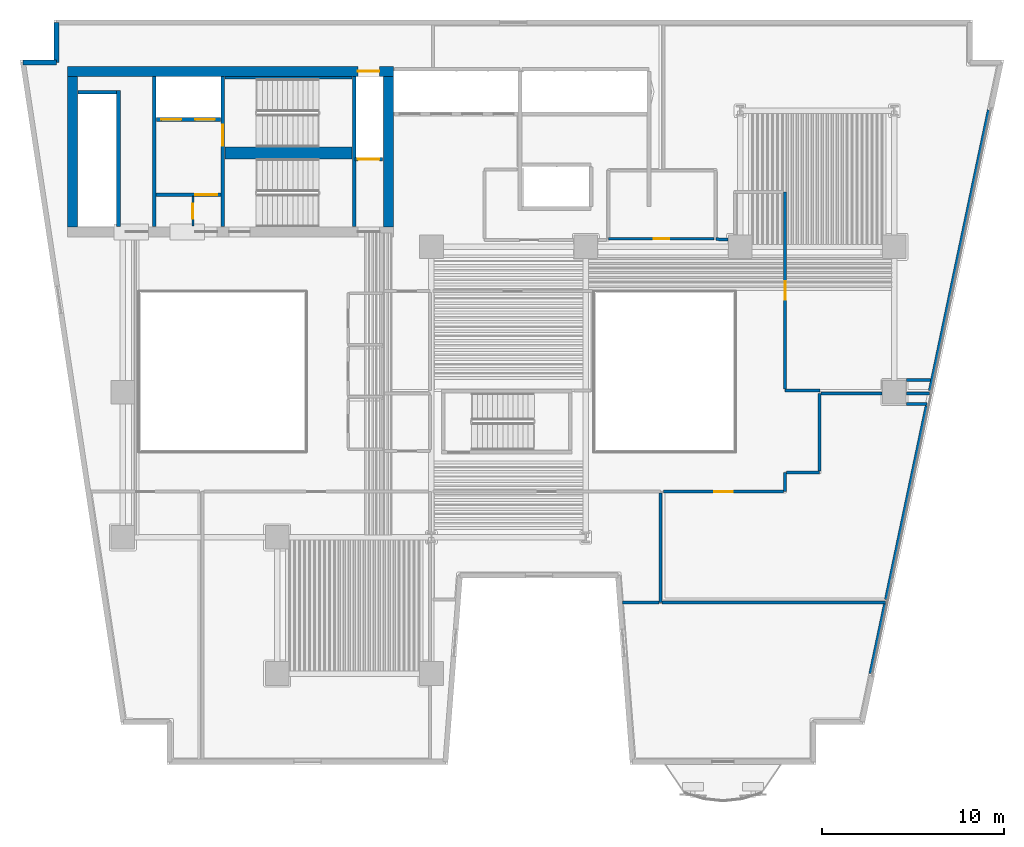
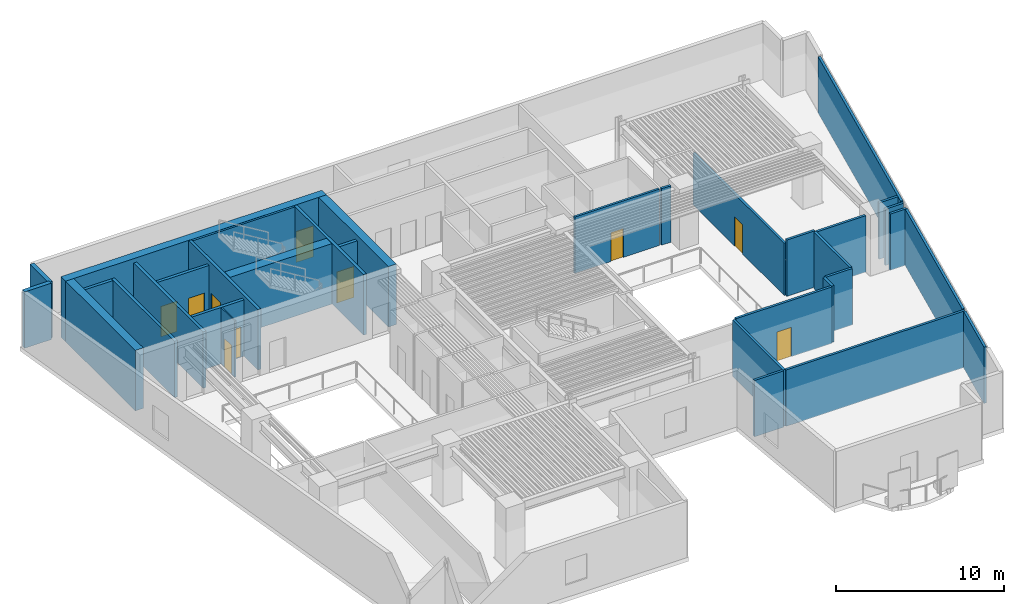
# One storey, part 5 of 11: 34 walls, 10 doors, 10 openings.
"""IFC4 building model written with IfcOpenShell, lengths in metres."""

import ifcopenshell
import ifcopenshell.guid

model = None  # the IFC model being written
_history = None  # IfcOwnerHistory: only IFC2X3 demands one
_inside = {}  # id of a spatial element -> (the spatial element, [elements in it])
_under = {}  # id of a project, library or spatial element -> (it, [spatial elements below it])
_declared = {}  # id of a project -> (the project, [libraries it declares])
_typed = {}  # id of a type object -> (the type object, [elements of that type])
_made_of = {}  # id of a material, layer set ... -> (it, [elements and type objects made of it])


def new_model(schema):
    """Start an empty IFC model of exactly this schema.

    Asked for "IFC4X3", IfcOpenShell would pick the latest addendum, in which some entities
    have other attributes; the version numbers below select the first issue.
    IFC2X3 requires an IfcOwnerHistory on every rooted entity: one is made here for all.
    """
    global model, _history
    if schema == "IFC4X3":
        model = ifcopenshell.file(schema_version=(4, 3, 0, 0))
    else:
        model = ifcopenshell.file(schema=schema)
    _inside.clear()
    _under.clear()
    _declared.clear()
    _typed.clear()
    _made_of.clear()
    _history = None
    if model.schema == "IFC2X3":
        org = make("IfcOrganization", Name="unknown")
        user = make(
            "IfcPersonAndOrganization",
            ThePerson=make("IfcPerson", FamilyName="unknown"),
            TheOrganization=org,
        )
        app = make(
            "IfcApplication",
            ApplicationDeveloper=org,
            Version="unknown",
            ApplicationFullName="unknown",
            ApplicationIdentifier="unknown",
        )
        _history = make(
            "IfcOwnerHistory",
            OwningUser=user,
            OwningApplication=app,
            ChangeAction="ADDED",
            CreationDate=0,
        )
    return model


def make(cls, **values):
    """One entity of the class cls with the attributes given. An attribute that is None is left unset."""
    return model.create_entity(
        cls, **{name: value for name, value in values.items() if value is not None}
    )


def rooted(cls, **values):
    """An entity with a GlobalId (a new one), such as an element, a storey or a relation."""
    return make(cls, GlobalId=ifcopenshell.guid.new(), OwnerHistory=_history, **values)


def si_unit(unit_type, name, prefix=None):
    """IfcSIUnit, for example si_unit("LENGTHUNIT", "METRE", prefix="MILLI")."""
    return make("IfcSIUnit", UnitType=unit_type, Prefix=prefix, Name=name)


def assignment(units):
    """IfcUnitAssignment: the units of a project."""
    return None if units is None else make("IfcUnitAssignment", Units=units)


def point(xyz):
    """IfcCartesianPoint."""
    return None if xyz is None else make("IfcCartesianPoint", Coordinates=xyz)


def direction(xyz):
    """IfcDirection."""
    return None if xyz is None else make("IfcDirection", DirectionRatios=xyz)


def frame(location, z_axis=None, x_axis=None):
    """IfcAxis2Placement3D, a coordinate frame: its origin and axes. An axis left out is left unset."""
    return make(
        "IfcAxis2Placement3D",
        Location=point(location),
        Axis=direction(z_axis),
        RefDirection=direction(x_axis),
    )


def frame_2d(location, x_axis=None):
    """IfcAxis2Placement2D, a coordinate frame in the plane: its origin and x axis."""
    return make(
        "IfcAxis2Placement2D", Location=point(location), RefDirection=direction(x_axis)
    )


def origin():
    """The frame at (0, 0, 0) with its axes left unset."""
    return frame((0.0, 0.0, 0.0))


def place(relative_to, where):
    """IfcLocalPlacement: puts the frame where relative to a parent placement (None: the world)."""
    return make(
        "IfcLocalPlacement", PlacementRelTo=relative_to, RelativePlacement=where
    )


def context(
    kind, dimensions, precision=None, world=None, true_north=None, identifier=None
):
    """IfcGeometricRepresentationContext, for example the 3D "Model" context."""
    return make(
        "IfcGeometricRepresentationContext",
        ContextIdentifier=identifier,
        ContextType=kind,
        CoordinateSpaceDimension=dimensions,
        Precision=precision,
        WorldCoordinateSystem=world,
        TrueNorth=true_north,
    )


def subcontext(parent, identifier, kind, view, scale=None):
    """IfcGeometricRepresentationSubContext, for example "Body" below "Model"."""
    return make(
        "IfcGeometricRepresentationSubContext",
        ContextIdentifier=identifier,
        ContextType=kind,
        ParentContext=parent,
        TargetScale=scale,
        TargetView=view,
    )


def project(units=None, contexts=None):
    """IfcProject with its units and contexts."""
    return rooted(
        "IfcProject",
        Name="project",
        RepresentationContexts=contexts,
        UnitsInContext=assignment(units),
    )


def spatial(cls, under=None, at=None, **own):
    """A site, building, storey or space (cls), placed at a placement, below another one or the project."""
    s = rooted(cls, ObjectPlacement=at, **own)
    if under is not None:
        _under.setdefault(under.id(), (under, []))[1].append(s)
    return s


def profile(cls, at=None, kind="AREA", **sizes):
    """A parametric profile (cls). Its sizes go by their IFC names, for example OverallWidth=200.0."""
    return make(cls, ProfileType=kind, Position=at, **sizes)


def rectangle(**sizes):
    """IfcRectangleProfileDef."""
    return profile("IfcRectangleProfileDef", **sizes)


def extrude(swept, where, along, depth):
    """IfcExtrudedAreaSolid: the profile swept, set in the frame where, extruded along a direction by depth."""
    return make(
        "IfcExtrudedAreaSolid",
        SweptArea=swept,
        Position=where,
        ExtrudedDirection=direction(along),
        Depth=depth,
    )


def shape(context_of_items, identifier, shape_type, items):
    """IfcShapeRepresentation: the items that make up one representation, for example the "Body"."""
    return make(
        "IfcShapeRepresentation",
        ContextOfItems=context_of_items,
        RepresentationIdentifier=identifier,
        RepresentationType=shape_type,
        Items=items,
    )


def material(Name=None, Category=None):
    """IfcMaterial."""
    return make("IfcMaterial", Name=Name, Category=Category)


def layer(
    of_material, thickness, ventilated=None, Name=None, Category=None, Priority=None
):
    """IfcMaterialLayer: one layer of a wall or slab, of a material (None: an air gap)."""
    return make(
        "IfcMaterialLayer",
        Material=of_material,
        LayerThickness=thickness,
        IsVentilated=ventilated,
        Name=Name,
        Category=Category,
        Priority=Priority,
    )


def layer_set(layers, Name=None):
    """IfcMaterialLayerSet."""
    return make("IfcMaterialLayerSet", MaterialLayers=layers, LayerSetName=Name)


def made_of(thing, what):
    """Note that an element or type object is made of a material, layer set ...; save() writes the relation."""
    if what is not None:
        _made_of.setdefault(what.id(), (what, []))[1].append(thing)
    return thing


def type_object(cls, material=None, **own):
    """A type object (cls), such as IfcWallType, which elements share."""
    return made_of(rooted(cls, **own), material)


def element(
    cls,
    number,
    at=None,
    inside=None,
    cuts=None,
    type_object=None,
    material=None,
    context=None,
    identifier="Body",
    shape_type=None,
    held_by="IfcProductDefinitionShape",
    body=None,
    shapes=None,
    **own,
):
    """One element of the class cls, such as IfcWall. Its Tag is "e" and its number.

    at: its placement. inside: the storey or other place that contains it. cuts: it is an
    opening in that element (IfcRelVoidsElement). A single representation is given by context,
    identifier, shape_type and body (its items); several are given by shapes. held_by: the class
    of the entity that holds the representations. save() writes the other relations.
    """
    e = rooted(cls, Tag="e%d" % number, ObjectPlacement=at, **own)
    if body is not None:
        shapes = [shape(context, identifier, shape_type, body)]
    if shapes is not None:
        e.Representation = make(held_by, Representations=shapes)
    if inside is not None:
        _inside.setdefault(inside.id(), (inside, []))[1].append(e)
    if cuts is not None:
        rooted(
            "IfcRelVoidsElement", RelatingBuildingElement=cuts, RelatedOpeningElement=e
        )
    if type_object is not None:
        _typed.setdefault(type_object.id(), (type_object, []))[1].append(e)
    return made_of(e, material)


def fill(opening, filler):
    """IfcRelFillsElement: the door or window that sits in an opening."""
    return rooted(
        "IfcRelFillsElement",
        RelatingOpeningElement=opening,
        RelatedBuildingElement=filler,
    )


def aggregate(whole, parts):
    """IfcRelAggregates: a whole, such as a stair, and the parts it consists of."""
    return rooted("IfcRelAggregates", RelatingObject=whole, RelatedObjects=parts)


def save(model, path):
    """Write the relations noted so far, then the file.

    IfcRelAggregates (storeys below a building ...), IfcRelContainedInSpatialStructure (elements
    in a storey), IfcRelDefinesByType, IfcRelAssociatesMaterial and IfcRelDeclares: one each for
    every whole, place, type object, material and project.
    """
    for whole, parts in _under.values():
        aggregate(whole, parts)
    for where, things in _inside.values():
        rooted(
            "IfcRelContainedInSpatialStructure",
            RelatedElements=things,
            RelatingStructure=where,
        )
    for kind, things in _typed.values():
        rooted("IfcRelDefinesByType", RelatedObjects=things, RelatingType=kind)
    for what, things in _made_of.values():
        rooted("IfcRelAssociatesMaterial", RelatedObjects=things, RelatingMaterial=what)
    for by, libraries in _declared.values():
        rooted("IfcRelDeclares", RelatingContext=by, RelatedDefinitions=libraries)
    model.write(path)


model = new_model("IFC4")

# Units and contexts
model_context = context("Model", 3, precision=1e-05, world=origin(), true_north=direction((0.0, 1.0)))
body_context = subcontext(model_context, "Body", "Model", "MODEL_VIEW")
ifc_project = project(units=[si_unit("LENGTHUNIT", "METRE"), si_unit("AREAUNIT", "SQUARE_METRE"), si_unit("VOLUMEUNIT", "CUBIC_METRE"), si_unit("PLANEANGLEUNIT", "RADIAN"), si_unit("MASSUNIT", "GRAM", prefix="KILO")], contexts=[model_context])

# Site, building, storey
site_placement = place(None, origin())
site = spatial("IfcSite", under=ifc_project, at=site_placement, CompositionType="ELEMENT")
building_placement = place(site_placement, origin())
building = spatial("IfcBuilding", under=site, at=building_placement, Name="Caeloran Harvest Quay", CompositionType="ELEMENT")
storey_placement = place(building_placement, frame((0.0, 0.0, 40.199951171875)))
storey = spatial("IfcBuildingStorey", under=building, at=storey_placement, Name="L09", CompositionType="ELEMENT", Elevation=40.199951171875)

# Walls
ifc_material_1 = material(Name="Precast concrete C50/60", Category="concrete")
ifc_layer_1 = layer(ifc_material_1, 0.280029296875, Name="Precast concrete C50/60")
ifc_layer_set_1 = layer_set([ifc_layer_1], Name="Precast concrete C50/60")
wall_type_1 = type_object("IfcWallType", Name="ENV-WALL-EW-280", PredefinedType="STANDARD", material=ifc_layer_set_1)
wall_1_placement = place(storey_placement, frame((2.99755859375, 41.159912109375, 0.0), z_axis=(0.0, 0.0, 1.0), x_axis=(1.0, 0.0, 0.0)))
element("IfcWall", 1, at=wall_1_placement, inside=storey, type_object=wall_type_1, Name="L09 Exterior Precast Concrete Facade Wall 4", PredefinedType="STANDARD", context=body_context, shape_type="SweptSolid", body=[
    extrude(rectangle(XDim=1.842529296875, YDim=0.280029296875, at=frame_2d((0.92138671875, 0.0))), origin(), (0.0, 0.0, 1.0), 4.10009765625),
])
wall_2_placement = place(storey_placement, frame((4.840087890625, 41.159912109375, 0.0), z_axis=(0.0, 0.0, 1.0), x_axis=(0.0, 1.0, 0.0)))
element("IfcWall", 2, at=wall_2_placement, inside=storey, type_object=wall_type_1, Name="L09 Exterior Precast Concrete Facade Wall 5", PredefinedType="STANDARD", context=body_context, shape_type="SweptSolid", body=[
    extrude(rectangle(XDim=2.2001953125, YDim=0.280029296875, at=frame_2d((1.10009765625, 0.0))), origin(), (0.0, 0.0, 1.0), 4.10009765625),
])

# Wall, opening, door
ifc_material_2 = material(Name="Fire-Resisting Gypsum Core Riser Partition", Category="gypsum")
ifc_layer_2 = layer(ifc_material_2, 0.10009765625, Name="Fire-Resisting Gypsum Core Riser Partition")
ifc_layer_set_2 = layer_set([ifc_layer_2], Name="Fire-Resisting Gypsum Core Riser Partition")
wall_type_2 = type_object("IfcWallType", Name="INT-WALL-PW-100", PredefinedType="PARTITIONING", material=ifc_layer_set_2)
wall_3_placement = place(storey_placement, frame((12.360107421875, 32.159912109375, 0.0), z_axis=(0.0, 0.0, 1.0), x_axis=(0.0, 1.0, 0.0)))
wall_3 = element("IfcWall", 3, at=wall_3_placement, inside=storey, type_object=wall_type_2, Name="L09 Core Store Partition Wall", PredefinedType="PARTITIONING", context=body_context, shape_type="SweptSolid", body=[
    extrude(rectangle(XDim=1.6201171875, YDim=0.10009765625, at=frame_2d((0.81005859375, 0.0))), origin(), (0.0, 0.0, 1.0), 4.10009765625),
])
opening_1_placement = place(wall_3_placement, frame((0.3798828125, 0.0, 0.0)))
opening_1 = element("IfcOpeningElement", 4, at=opening_1_placement, cuts=wall_3, Name="Opening SV-01", PredefinedType="OPENING", context=body_context, shape_type="SweptSolid", body=[
    extrude(rectangle(XDim=0.85009765625, YDim=2.10009765625, at=frame_2d((0.425048828125, 1.050048828125))), frame((0.0, 0.06005859375, 0.0), z_axis=(0.0, -1.0, 0.0), x_axis=(1.0, 0.0, 0.0)), (0.0, 0.0, 1.0), 0.1201171875),
])
ifc_material_3 = material(Name="Galvanized Painted Steel", Category="steel")
door_type_1 = type_object("IfcDoorType", Name="INTDOOR-SV-01", OperationType="NOTDEFINED", PredefinedType="DOOR", material=ifc_material_3)
door_1_placement = place(opening_1_placement, origin())
door_1 = element("IfcDoor", 5, at=door_1_placement, inside=storey, type_object=door_type_1, Name="L09 Core Service Room Access Door", OperationType="SINGLE_SWING_RIGHT", OverallHeight=2.10009765625, OverallWidth=0.85009765625, PredefinedType="DOOR", context=body_context, shape_type="SweptSolid", body=[
    extrude(rectangle(XDim=0.85009765625, YDim=2.10009765625, at=frame_2d((0.425048828125, 1.050048828125))), frame((0.0, 0.02490234375, 0.0), z_axis=(0.0, -1.0, 0.0), x_axis=(1.0, 0.0, 0.0)), (0.0, 0.0, 1.0), 0.050048828125),
])
fill(opening_1, door_1)

ifc_material_4 = material(Name="Autoclaved Aerated Concrete Blockwork and Plasterboard", Category="masonry")
ifc_layer_3 = layer(ifc_material_4, 0.14990234375, Name="Autoclaved Aerated Concrete Blockwork and Plasterboard")
ifc_layer_set_3 = layer_set([ifc_layer_3], Name="Autoclaved Aerated Concrete Blockwork and Plasterboard")
wall_type_3 = type_object("IfcWallType", Name="INT-WALL-PW-150", PredefinedType="PARTITIONING", material=ifc_layer_set_3)
wall_4_placement = place(storey_placement, frame((41.070068359375, 31.449951171875, 0.0), z_axis=(0.0, 0.0, 1.0), x_axis=(-1.0, 0.0, 0.0)))
wall_4 = element("IfcWall", 6, at=wall_4_placement, inside=storey, type_object=wall_type_3, Name="L09 Core Telemetry Control Room Partition Wall", PredefinedType="PARTITIONING", context=body_context, shape_type="SweptSolid", body=[
    extrude(rectangle(XDim=5.820068359375, YDim=0.14990234375, at=frame_2d((2.91015625, 0.0))), origin(), (0.0, 0.0, 1.0), 4.10009765625),
])
opening_2_placement = place(wall_4_placement, frame((2.485107421875, 0.0, 0.0)))
opening_2 = element("IfcOpeningElement", 7, at=opening_2_placement, cuts=wall_4, Name="Opening SV-01", PredefinedType="OPENING", context=body_context, shape_type="SweptSolid", body=[
    extrude(rectangle(XDim=0.85009765625, YDim=2.10009765625, at=frame_2d((0.425048828125, 1.050048828125))), frame((0.0, 0.0849609375, 0.0), z_axis=(0.0, -1.0, 0.0), x_axis=(1.0, 0.0, 0.0)), (0.0, 0.0, 1.0), 0.169921875),
])
door_2_placement = place(opening_2_placement, origin())
door_2 = element("IfcDoor", 8, at=door_2_placement, inside=storey, type_object=door_type_1, Name="L09 Core Telemetry Control Room Access Door", OperationType="SINGLE_SWING_RIGHT", OverallHeight=2.10009765625, OverallWidth=0.85009765625, PredefinedType="DOOR", context=body_context, shape_type="SweptSolid", body=[
    extrude(rectangle(XDim=0.85009765625, YDim=2.10009765625, at=frame_2d((0.425048828125, 1.050048828125))), frame((0.0, 0.02490234375, 0.0), z_axis=(0.0, -1.0, 0.0), x_axis=(1.0, 0.0, 0.0)), (0.0, 0.0, 1.0), 0.050048828125),
])
fill(opening_2, door_2)

# Walls
ifc_material_5 = material(Name="Autoclaved Aerated Concrete Blockwork", Category="masonry")
ifc_layer_4 = layer(ifc_material_5, 0.1650390625, Name="Autoclaved Aerated Concrete Blockwork")
ifc_layer_set_4 = layer_set([ifc_layer_4], Name="Autoclaved Aerated Concrete Blockwork")
wall_type_4 = type_object("IfcWallType", Name="INT-WALL-PW-165", PredefinedType="PARTITIONING", material=ifc_layer_set_4)
wall_5_placement = place(storey_placement, frame((38.1201171875, 17.4326171875, 0.0), z_axis=(0.0, 0.0, 1.0), x_axis=(0.0, -1.0, 0.0)))
element("IfcWall", 9, at=wall_5_placement, inside=storey, type_object=wall_type_4, Name="Microgreens LED Rack Chamber Partition Wall", PredefinedType="PARTITIONING", context=body_context, shape_type="SweptSolid", body=[
    extrude(rectangle(XDim=6.0126953125, YDim=0.1650390625, at=frame_2d((3.00634765625, 0.0))), origin(), (0.0, 0.0, 1.0), 4.10009765625),
])
wall_6_placement = place(storey_placement, frame((36.0302734375, 11.419921875, 0.0), z_axis=(0.0, 0.0, 1.0), x_axis=(1.0, 0.0, 0.0)))
element("IfcWall", 10, at=wall_6_placement, inside=storey, type_object=wall_type_4, Name="Microgreens LED Rack Chamber Partition Wall", PredefinedType="PARTITIONING", context=body_context, shape_type="SweptSolid", body=[
    extrude(rectangle(XDim=2.002197265625, YDim=0.1650390625, at=frame_2d((1.0009765625, 0.0))), origin(), (0.0, 0.0, 1.0), 4.10009765625),
])
wall_7_placement = place(storey_placement, frame((38.20751953125, 11.419921875, 0.0), z_axis=(0.0, 0.0, 1.0), x_axis=(1.0, 0.0, 0.0)))
element("IfcWall", 11, at=wall_7_placement, inside=storey, type_object=wall_type_4, Name="Microgreens LED Rack Chamber Partition Wall", PredefinedType="PARTITIONING", context=body_context, shape_type="SweptSolid", body=[
    extrude(rectangle(XDim=12.302978515625, YDim=0.1650390625, at=frame_2d((6.1513671875, 0.0))), origin(), (0.0, 0.0, 1.0), 4.10009765625),
])
wall_8_placement = place(storey_placement, frame((50.4765625, 11.33251953125, 0.0), z_axis=(0.0, 0.0, 1.0), x_axis=(-0.205570398428, -0.978642330624, 0.0)))
element("IfcWall", 12, at=wall_8_placement, inside=storey, type_object=wall_type_4, Name="Microgreens LED Rack Chamber Partition Wall", PredefinedType="PARTITIONING", context=body_context, shape_type="SweptSolid", body=[
    extrude(rectangle(XDim=3.914306640625, YDim=0.1650390625, at=frame_2d((1.95703125, 0.0))), origin(), (0.0, 0.0, 1.0), 4.10009765625),
])
wall_9_placement = place(storey_placement, frame((44.97998046875, 17.52001953125, 0.0), z_axis=(0.0, 0.0, 1.0), x_axis=(0.0, 1.0, 0.0)))
element("IfcWall", 13, at=wall_9_placement, inside=storey, type_object=wall_type_4, Name="Tissue Culture Laboratory Partition Wall", PredefinedType="PARTITIONING", context=body_context, shape_type="SweptSolid", body=[
    extrude(rectangle(XDim=1.050048828125, YDim=0.1650390625, at=frame_2d((0.52490234375, 0.0))), origin(), (0.0, 0.0, 1.0), 4.10009765625),
])
wall_10_placement = place(storey_placement, frame((45.0673828125, 18.570068359375, 0.0), z_axis=(0.0, 0.0, 1.0), x_axis=(1.0, 0.0, 0.0)))
element("IfcWall", 14, at=wall_10_placement, inside=storey, type_object=wall_type_4, Name="Tissue Culture Laboratory Partition Wall", PredefinedType="PARTITIONING", context=body_context, shape_type="SweptSolid", body=[
    extrude(rectangle(XDim=1.8125, YDim=0.1650390625, at=frame_2d((0.90625, 0.0))), origin(), (0.0, 0.0, 1.0), 4.10009765625),
])
wall_11_placement = place(storey_placement, frame((46.8798828125, 18.657470703125, 0.0), z_axis=(0.0, 0.0, 1.0), x_axis=(0.0, 1.0, 0.0)))
element("IfcWall", 15, at=wall_11_placement, inside=storey, type_object=wall_type_4, Name="Tissue Culture Laboratory Partition Wall", PredefinedType="PARTITIONING", context=body_context, shape_type="SweptSolid", body=[
    extrude(rectangle(XDim=4.262451171875, YDim=0.1650390625, at=frame_2d((2.13134765625, 0.0))), origin(), (0.0, 0.0, 1.0), 4.10009765625),
])
wall_12_placement = place(storey_placement, frame((46.967529296875, 22.919921875, 0.0), z_axis=(0.0, 0.0, 1.0), x_axis=(1.0, 0.0, 0.0)))
element("IfcWall", 16, at=wall_12_placement, inside=storey, type_object=wall_type_4, Name="Tissue Culture Laboratory Partition Wall", PredefinedType="PARTITIONING", context=body_context, shape_type="SweptSolid", body=[
    extrude(rectangle(XDim=3.357421875, YDim=0.1650390625, at=frame_2d((1.6787109375, 0.0))), origin(), (0.0, 0.0, 1.0), 4.10009765625),
])
wall_13_placement = place(storey_placement, frame((51.675048828125, 22.3349609375, 0.0), z_axis=(0.0, 0.0, 1.0), x_axis=(1.0, 0.0, 0.0)))
element("IfcWall", 17, at=wall_13_placement, inside=storey, type_object=wall_type_4, Name="Tissue Culture Laboratory Partition Wall", PredefinedType="PARTITIONING", context=body_context, shape_type="SweptSolid", body=[
    extrude(rectangle(XDim=1.12841796875, YDim=0.1650390625, at=frame_2d((0.564208984375, 0.0))), origin(), (0.0, 0.0, 1.0), 4.10009765625),
])
wall_14_placement = place(storey_placement, frame((51.675048828125, 22.919921875, 0.0), z_axis=(0.0, 0.0, 1.0), x_axis=(1.0, 0.0, 0.0)))
element("IfcWall", 18, at=wall_14_placement, inside=storey, type_object=wall_type_4, Name="Tissue Culture Laboratory Partition Wall", PredefinedType="PARTITIONING", context=body_context, shape_type="SweptSolid", body=[
    extrude(rectangle(XDim=1.25146484375, YDim=0.1650390625, at=frame_2d((0.625732421875, 0.0))), origin(), (0.0, 0.0, 1.0), 4.10009765625),
])
wall_15_placement = place(storey_placement, frame((52.769775390625, 22.24755859375, 0.0), z_axis=(0.0, 0.0, 1.0), x_axis=(-0.205565714744, -0.978643314452, 0.0)))
element("IfcWall", 19, at=wall_15_placement, inside=storey, type_object=wall_type_4, Name="Tissue Culture Laboratory Partition Wall", PredefinedType="PARTITIONING", context=body_context, shape_type="SweptSolid", body=[
    extrude(rectangle(XDim=10.900390625, YDim=0.1650390625, at=frame_2d((5.4501953125, 0.0))), origin(), (0.0, 0.0, 1.0), 4.10009765625),
])

# Wall, opening, door
wall_16_placement = place(storey_placement, frame((38.280029296875, 17.52001953125, 0.0), z_axis=(0.0, 0.0, 1.0), x_axis=(1.0, 0.0, 0.0)))
wall_16 = element("IfcWall", 20, at=wall_16_placement, inside=storey, type_object=wall_type_4, Name="Tissue Culture Laboratory Partition Wall", PredefinedType="PARTITIONING", context=body_context, shape_type="SweptSolid", body=[
    extrude(rectangle(XDim=6.612548828125, YDim=0.1650390625, at=frame_2d((3.30615234375, 0.0))), origin(), (0.0, 0.0, 1.0), 4.10009765625),
])
opening_3_placement = place(wall_16_placement, frame((2.80615234375, 0.0, 0.0)))
opening_3 = element("IfcOpeningElement", 21, at=opening_3_placement, cuts=wall_16, Name="Opening ID-01", PredefinedType="OPENING", context=body_context, shape_type="SweptSolid", body=[
    extrude(rectangle(XDim=1.0, YDim=2.14990234375, at=frame_2d((0.5, 1.074951171875))), frame((0.0, 0.092529296875, 0.0), z_axis=(0.0, -1.0, 0.0), x_axis=(1.0, 0.0, 0.0)), (0.0, 0.0, 1.0), 0.18505859375),
])
ifc_material_6 = material(Name="FSC Solid-Core Ash Timber and Acoustic Seal", Category="wood")
door_type_2 = type_object("IfcDoorType", Name="INTDOOR-ID-01", OperationType="NOTDEFINED", PredefinedType="DOOR", material=ifc_material_6)
door_3_placement = place(opening_3_placement, origin())
door_3 = element("IfcDoor", 22, at=door_3_placement, inside=storey, type_object=door_type_2, Name="Tissue Culture Laboratory Access Door", OperationType="SINGLE_SWING_LEFT", OverallHeight=2.14990234375, OverallWidth=1.0, PredefinedType="DOOR", context=body_context, shape_type="SweptSolid", body=[
    extrude(rectangle(XDim=1.0, YDim=2.14990234375, at=frame_2d((0.5, 1.074951171875))), frame((0.0, 0.02490234375, 0.0), z_axis=(0.0, -1.0, 0.0), x_axis=(1.0, 0.0, 0.0)), (0.0, 0.0, 1.0), 0.050048828125),
])
fill(opening_3, door_3)

# Walls
wall_17_placement = place(storey_placement, frame((56.1943359375, 38.547607421875, 0.0), z_axis=(0.0, 0.0, 1.0), x_axis=(-0.205583069276, -0.978639668942, 0.0)))
element("IfcWall", 23, at=wall_17_placement, inside=storey, type_object=wall_type_4, Name="Agronomy Break Kitchen Partition Wall", PredefinedType="PARTITIONING", context=body_context, shape_type="SweptSolid", body=[
    extrude(rectangle(XDim=15.80517578125, YDim=0.1650390625, at=frame_2d((7.902587890625, 0.0))), origin(), (0.0, 0.0, 1.0), 4.10009765625),
])
wall_18_placement = place(storey_placement, frame((52.978515625, 23.6650390625, 0.0), z_axis=(0.0, 0.0, 1.0), x_axis=(-1.0, 0.0, 0.0)))
element("IfcWall", 24, at=wall_18_placement, inside=storey, type_object=wall_type_4, Name="Agronomy Break Kitchen Partition Wall", PredefinedType="PARTITIONING", context=body_context, shape_type="SweptSolid", body=[
    extrude(rectangle(XDim=1.303466796875, YDim=0.1650390625, at=frame_2d((0.65185546875, 0.0))), origin(), (0.0, 0.0, 1.0), 4.10009765625),
])
wall_19_placement = place(storey_placement, frame((46.91357421875, 23.080078125, 0.0), z_axis=(0.0, 0.0, 1.0), x_axis=(-1.0, 0.0, 0.0)))
element("IfcWall", 25, at=wall_19_placement, inside=storey, type_object=wall_type_4, Name="Agronomy Break Kitchen Partition Wall", PredefinedType="PARTITIONING", context=body_context, shape_type="SweptSolid", body=[
    extrude(rectangle(XDim=1.93359375, YDim=0.1650390625, at=frame_2d((0.966796875, 0.0))), origin(), (0.0, 0.0, 1.0), 4.10009765625),
])

# Wall, opening, door
wall_20_placement = place(storey_placement, frame((44.97998046875, 23.16748046875, 0.0), z_axis=(0.0, 0.0, 1.0), x_axis=(0.0, 1.0, 0.0)))
wall_20 = element("IfcWall", 26, at=wall_20_placement, inside=storey, type_object=wall_type_4, Name="Agronomy Break Kitchen Partition Wall", PredefinedType="PARTITIONING", context=body_context, shape_type="SweptSolid", body=[
    extrude(rectangle(XDim=10.862548828125, YDim=0.1650390625, at=frame_2d((5.43115234375, 0.0))), origin(), (0.0, 0.0, 1.0), 3.78515625),
])
opening_4_placement = place(wall_20_placement, frame((4.931396484375, 0.0, 0.0)))
opening_4 = element("IfcOpeningElement", 27, at=opening_4_placement, cuts=wall_20, Name="Opening ID-01", PredefinedType="OPENING", context=body_context, shape_type="SweptSolid", body=[
    extrude(rectangle(XDim=1.0, YDim=2.14990234375, at=frame_2d((0.5, 1.074951171875))), frame((0.0, 0.092529296875, 0.0), z_axis=(0.0, -1.0, 0.0), x_axis=(1.0, 0.0, 0.0)), (0.0, 0.0, 1.0), 0.18505859375),
])
door_4_placement = place(opening_4_placement, origin())
door_4 = element("IfcDoor", 28, at=door_4_placement, inside=storey, type_object=door_type_2, Name="Agronomy Break Kitchen Access Door", OperationType="SINGLE_SWING_LEFT", OverallHeight=2.14990234375, OverallWidth=1.0, PredefinedType="DOOR", context=body_context, shape_type="SweptSolid", body=[
    extrude(rectangle(XDim=1.0, YDim=2.14990234375, at=frame_2d((0.5, 1.074951171875))), frame((0.0, 0.02490234375, 0.0), z_axis=(0.0, -1.0, 0.0), x_axis=(1.0, 0.0, 0.0)), (0.0, 0.0, 1.0), 0.050048828125),
])
fill(opening_4, door_4)

# Walls
wall_21_placement = place(storey_placement, frame((41.824951171875, 31.3984375, 0.0), z_axis=(0.0, 0.0, 1.0), x_axis=(-0.998882632516, 0.04725977633, 0.0)))
element("IfcWall", 29, at=wall_21_placement, inside=storey, type_object=wall_type_4, Name="Agronomy Break Kitchen Partition Wall", PredefinedType="PARTITIONING", context=body_context, shape_type="SweptSolid", body=[
    extrude(rectangle(XDim=0.645751953125, YDim=0.1650390625, at=frame_2d((0.32275390625, 0.0))), origin(), (0.0, 0.0, 1.0), 4.10009765625),
])
ifc_material_7 = material(Name="Concrete C50/60", Category="concrete")
ifc_layer_5 = layer(ifc_material_7, 0.199951171875, Name="Concrete C50/60")
ifc_layer_set_5 = layer_set([ifc_layer_5], Name="Concrete C50/60")
wall_type_5 = type_object("IfcWallType", Name="INT-WALL-SW-200", PredefinedType="PARTITIONING", material=ifc_layer_set_5)
wall_22_placement = place(storey_placement, frame((8.260009765625, 32.1201171875, 0.0), z_axis=(0.0, 0.0, 1.0), x_axis=(0.0, 1.0, 0.0)))
element("IfcWall", 30, at=wall_22_placement, inside=storey, type_object=wall_type_5, Name="L09 Bank 3 Lift Shaft Wall", PredefinedType="PARTITIONING", context=body_context, shape_type="SweptSolid", body=[
    extrude(rectangle(XDim=7.5, YDim=0.199951171875, at=frame_2d((3.75, 0.0))), origin(), (0.0, 0.0, 1.0), 4.10009765625),
])
wall_23_placement = place(storey_placement, frame((6.02001953125, 39.52001953125, 0.0), z_axis=(0.0, 0.0, 1.0), x_axis=(1.0, 0.0, 0.0)))
element("IfcWall", 31, at=wall_23_placement, inside=storey, type_object=wall_type_5, Name="L09 Bank 3 Lift Shaft North End Wall", PredefinedType="PARTITIONING", context=body_context, shape_type="SweptSolid", body=[
    extrude(rectangle(XDim=2.119873046875, YDim=0.199951171875, at=frame_2d((1.06005859375, 0.0))), origin(), (0.0, 0.0, 1.0), 4.10009765625),
])
wall_24_placement = place(storey_placement, frame((10.219970703125, 32.1201171875, 0.0), z_axis=(0.0, 0.0, 1.0), x_axis=(0.0, 1.0, 0.0)))
element("IfcWall", 32, at=wall_24_placement, inside=storey, type_object=wall_type_5, Name="L09 Core Lobby Compartment Wall", PredefinedType="PARTITIONING", context=body_context, shape_type="SweptSolid", body=[
    extrude(rectangle(XDim=8.259765625, YDim=0.199951171875, at=frame_2d((4.1298828125, 0.0))), origin(), (0.0, 0.0, 1.0), 4.10009765625),
])

# Wall, openings, doors
wall_25_placement = place(storey_placement, frame((10.340087890625, 38.02001953125, 0.0), z_axis=(0.0, 0.0, 1.0), x_axis=(1.0, 0.0, 0.0)))
wall_25 = element("IfcWall", 33, at=wall_25_placement, inside=storey, type_object=wall_type_5, Name="L09 Firefighting Lift Shaft Wall", PredefinedType="PARTITIONING", context=body_context, shape_type="SweptSolid", body=[
    extrude(rectangle(XDim=3.539794921875, YDim=0.199951171875, at=frame_2d((1.77001953125, 0.0))), origin(), (0.0, 0.0, 1.0), 4.10009765625),
])
opening_5_placement = place(wall_25_placement, frame((0.284912109375, 0.0, 0.0)))
opening_5 = element("IfcOpeningElement", 34, at=opening_5_placement, cuts=wall_25, Name="Opening LD-01", PredefinedType="OPENING", context=body_context, shape_type="SweptSolid", body=[
    extrude(rectangle(XDim=1.10009765625, YDim=2.199951171875, at=frame_2d((0.550048828125, 1.10009765625))), frame((0.0, 0.10986328125, 0.0), z_axis=(0.0, -1.0, 0.0), x_axis=(1.0, 0.0, 0.0)), (0.0, 0.0, 1.0), 0.219970703125),
])
opening_6_placement = place(wall_25_placement, frame((2.135009765625, 0.0, 0.0)))
opening_6 = element("IfcOpeningElement", 35, at=opening_6_placement, cuts=wall_25, Name="Opening LD-01", PredefinedType="OPENING", context=body_context, shape_type="SweptSolid", body=[
    extrude(rectangle(XDim=1.10009765625, YDim=2.199951171875, at=frame_2d((0.550048828125, 1.10009765625))), frame((0.0, 0.10986328125, 0.0), z_axis=(0.0, -1.0, 0.0), x_axis=(1.0, 0.0, 0.0)), (0.0, 0.0, 1.0), 0.219970703125),
])
ifc_material_8 = material(Name="Stainless Steel Grade 316", Category="steel")
door_type_3 = type_object("IfcDoorType", Name="INTDOOR-LD-01", OperationType="NOTDEFINED", PredefinedType="DOOR", material=ifc_material_8)
door_5_placement = place(opening_5_placement, origin())
door_5 = element("IfcDoor", 36, at=door_5_placement, inside=storey, type_object=door_type_3, Name="Lift FF-1 Sliding Landing Door (L09)", OperationType="DOUBLE_DOOR_SLIDING", OverallHeight=2.199951171875, OverallWidth=1.10009765625, PredefinedType="DOOR", context=body_context, shape_type="SweptSolid", body=[
    extrude(rectangle(XDim=1.10009765625, YDim=2.199951171875, at=frame_2d((0.550048828125, 1.10009765625))), frame((0.0, 0.02490234375, 0.0), z_axis=(0.0, -1.0, 0.0), x_axis=(1.0, 0.0, 0.0)), (0.0, 0.0, 1.0), 0.050048828125),
])
fill(opening_5, door_5)
door_6_placement = place(opening_6_placement, origin())
door_6 = element("IfcDoor", 37, at=door_6_placement, inside=storey, type_object=door_type_3, Name="Lift FF-2 Sliding Landing Door (L09)", OperationType="DOUBLE_DOOR_SLIDING", OverallHeight=2.199951171875, OverallWidth=1.10009765625, PredefinedType="DOOR", context=body_context, shape_type="SweptSolid", body=[
    extrude(rectangle(XDim=1.10009765625, YDim=2.199951171875, at=frame_2d((0.550048828125, 1.10009765625))), frame((0.0, 0.02490234375, 0.0), z_axis=(0.0, -1.0, 0.0), x_axis=(1.0, 0.0, 0.0)), (0.0, 0.0, 1.0), 0.050048828125),
])
fill(opening_6, door_6)

# Wall, opening, door
wall_26_placement = place(storey_placement, frame((10.340087890625, 33.8798828125, 0.0), z_axis=(0.0, 0.0, 1.0), x_axis=(1.0, 0.0, 0.0)))
wall_26 = element("IfcWall", 38, at=wall_26_placement, inside=storey, type_object=wall_type_5, Name="L09 Firefighting Lift Lobby Enclosure Wall", PredefinedType="PARTITIONING", context=body_context, shape_type="SweptSolid", body=[
    extrude(rectangle(XDim=3.559814453125, YDim=0.199951171875, at=frame_2d((1.77978515625, 0.0))), origin(), (0.0, 0.0, 1.0), 4.10009765625),
])
opening_7_placement = place(wall_26_placement, frame((2.14990234375, 0.0, 0.0)))
opening_7 = element("IfcOpeningElement", 39, at=opening_7_placement, cuts=wall_26, Name="Opening FD-01", PredefinedType="OPENING", context=body_context, shape_type="SweptSolid", body=[
    extrude(rectangle(XDim=1.199951171875, YDim=2.199951171875, at=frame_2d((0.60009765625, 1.10009765625))), frame((0.0, 0.10986328125, 0.0), z_axis=(0.0, -1.0, 0.0), x_axis=(1.0, 0.0, 0.0)), (0.0, 0.0, 1.0), 0.219970703125),
])
ifc_material_9 = material(Name="Steel", Category="steel")
door_type_4 = type_object("IfcDoorType", Name="INTDOOR-FD-01", OperationType="NOTDEFINED", PredefinedType="DOOR", material=ifc_material_9)
door_7_placement = place(opening_7_placement, origin())
door_7 = element("IfcDoor", 40, at=door_7_placement, inside=storey, type_object=door_type_4, Name="L09 Firefighting Lift Lobby Smoke-Seal Fire Door", OperationType="SINGLE_SWING_RIGHT", OverallHeight=2.199951171875, OverallWidth=1.199951171875, PredefinedType="DOOR", context=body_context, shape_type="SweptSolid", body=[
    extrude(rectangle(XDim=1.199951171875, YDim=2.199951171875, at=frame_2d((0.60009765625, 1.10009765625))), frame((0.0, 0.02490234375, 0.0), z_axis=(0.0, -1.0, 0.0), x_axis=(1.0, 0.0, 0.0)), (0.0, 0.0, 1.0), 0.050048828125),
])
fill(opening_7, door_7)

wall_27_placement = place(storey_placement, frame((21.300048828125, 35.820068359375, 0.0), z_axis=(0.0, 0.0, 1.0), x_axis=(1.0, 0.0, 0.0)))
wall_27 = element("IfcWall", 41, at=wall_27_placement, inside=storey, type_object=wall_type_5, Name="L09 Service Lift SV-2 Shaft Wall", PredefinedType="PARTITIONING", context=body_context, shape_type="SweptSolid", body=[
    extrude(rectangle(XDim=1.5, YDim=0.199951171875, at=frame_2d((0.75, 0.0))), origin(), (0.0, 0.0, 1.0), 4.10009765625),
])
opening_8_placement = place(wall_27_placement, frame((0.14501953125, 0.0, 0.0)))
opening_8 = element("IfcOpeningElement", 42, at=opening_8_placement, cuts=wall_27, Name="Opening LD-02", PredefinedType="OPENING", context=body_context, shape_type="SweptSolid", body=[
    extrude(rectangle(XDim=1.179931640625, YDim=2.25, at=frame_2d((0.58984375, 1.125))), frame((0.0, 0.10986328125, 0.0), z_axis=(0.0, -1.0, 0.0), x_axis=(1.0, 0.0, 0.0)), (0.0, 0.0, 1.0), 0.219970703125),
])
door_type_5 = type_object("IfcDoorType", Name="INTDOOR-LD-02", OperationType="NOTDEFINED", PredefinedType="DOOR", material=ifc_material_8)
door_8_placement = place(opening_8_placement, origin())
door_8 = element("IfcDoor", 43, at=door_8_placement, inside=storey, type_object=door_type_5, Name="Lift SV-2 Sliding Landing Door (L09)", OperationType="DOUBLE_DOOR_SLIDING", OverallHeight=2.25, OverallWidth=1.179931640625, PredefinedType="DOOR", context=body_context, shape_type="SweptSolid", body=[
    extrude(rectangle(XDim=1.179931640625, YDim=2.25, at=frame_2d((0.58984375, 1.125))), frame((0.0, 0.02490234375, 0.0), z_axis=(0.0, -1.0, 0.0), x_axis=(1.0, 0.0, 0.0)), (0.0, 0.0, 1.0), 0.050048828125),
])
fill(opening_8, door_8)

ifc_material_10 = material(Name="Concrete C80/95", Category="concrete")
ifc_layer_6 = layer(ifc_material_10, 0.550048828125, Name="Concrete C80/95")
ifc_layer_set_6 = layer_set([ifc_layer_6], Name="Concrete C80/95")
wall_type_6 = type_object("IfcWallType", Name="STR-WALL-CW-550", PredefinedType="SHEAR", material=ifc_layer_set_6)
wall_28_placement = place(storey_placement, frame((5.449951171875, 40.675048828125, 0.0), z_axis=(0.0, 0.0, 1.0), x_axis=(1.0, 0.0, 0.0)))
wall_28 = element("IfcWall", 44, at=wall_28_placement, inside=storey, type_object=wall_type_6, Name="L09 Rear Core Shear Wall N", PredefinedType="SHEAR", context=body_context, shape_type="SweptSolid", body=[
    extrude(rectangle(XDim=17.949951171875, YDim=0.550048828125, at=frame_2d((8.97509765625, 0.0))), origin(), (0.0, 0.0, 1.0), 4.400146484375),
])
opening_9_placement = place(wall_28_placement, frame((15.9951171875, 0.0, 0.0)))
opening_9 = element("IfcOpeningElement", 45, at=opening_9_placement, cuts=wall_28, Name="Opening LD-02", PredefinedType="OPENING", context=body_context, shape_type="SweptSolid", body=[
    extrude(rectangle(XDim=1.179931640625, YDim=2.25, at=frame_2d((0.58984375, 1.125))), frame((0.0, 0.28515625, 0.0), z_axis=(0.0, -1.0, 0.0), x_axis=(1.0, 0.0, 0.0)), (0.0, 0.0, 1.0), 0.570068359375),
])
door_9_placement = place(opening_9_placement, origin())
door_9 = element("IfcDoor", 46, at=door_9_placement, inside=storey, type_object=door_type_5, Name="Lift SV-1 Sliding Landing Door (L09)", OperationType="DOUBLE_DOOR_SLIDING", OverallHeight=2.25, OverallWidth=1.179931640625, PredefinedType="DOOR", context=body_context, shape_type="SweptSolid", body=[
    extrude(rectangle(XDim=1.179931640625, YDim=2.25, at=frame_2d((0.58984375, 1.125))), frame((0.0, 0.02490234375, 0.0), z_axis=(0.0, -1.0, 0.0), x_axis=(1.0, 0.0, 0.0)), (0.0, 0.0, 1.0), 0.050048828125),
])
fill(opening_9, door_9)

# Walls
for number, where, z_axis, x_axis, name in (
    (47, (5.72509765625, 32.10009765625, 0.0), (0.0, 0.0, 1.0), (0.0, 1.0, 0.0), "L09 Rear Core Shear Wall W"),
    (48, (23.125, 32.10009765625, 0.0), (0.0, 0.0, 1.0), (0.0, 1.0, 0.0), "L09 Rear Core Shear Wall E"),
):
    element("IfcWall", number, at=place(storey_placement, frame(where, z_axis=z_axis, x_axis=x_axis)), inside=storey, type_object=wall_type_6, Name=name, PredefinedType="SHEAR", context=body_context, shape_type="SweptSolid", body=[
        extrude(rectangle(XDim=8.2998046875, YDim=0.550048828125, at=frame_2d((4.14990234375, 0.0))), origin(), (0.0, 0.0, 1.0), 4.400146484375),
    ])
ifc_material_11 = material(Name="Concrete C60/75", Category="concrete")
ifc_layer_7 = layer(ifc_material_11, 0.64990234375, Name="Concrete C60/75")
ifc_layer_set_7 = layer_set([ifc_layer_7], Name="Concrete C60/75")
wall_type_7 = type_object("IfcWallType", Name="STR-WALL-CW-650", PredefinedType="SHEAR", material=ifc_layer_set_7)
wall_29_placement = place(storey_placement, frame((14.1201171875, 36.175048828125, 0.0), z_axis=(0.0, 0.0, 1.0), x_axis=(1.0, 0.0, 0.0)))
element("IfcWall", 49, at=wall_29_placement, inside=storey, type_object=wall_type_7, Name="L09 Core Stairs Dividing Shear Wall", PredefinedType="SHEAR", context=body_context, shape_type="SweptSolid", body=[
    extrude(rectangle(XDim=7.009765625, YDim=0.64990234375, at=frame_2d((3.5048828125, 0.0))), origin(), (0.0, 0.0, 1.0), 4.400146484375),
])
ifc_layer_8 = layer(ifc_material_11, 0.139892578125, Name="Concrete C60/75")
ifc_layer_set_8 = layer_set([ifc_layer_8], Name="Concrete C60/75")
wall_type_8 = type_object("IfcWallType", Name="STR-WALL-SW-140", PredefinedType="SHEAR", material=ifc_layer_set_8)
wall_30_placement = place(storey_placement, frame((14.1201171875, 40.320068359375, 0.0), z_axis=(0.0, 0.0, 1.0), x_axis=(1.0, 0.0, 0.0)))
element("IfcWall", 50, at=wall_30_placement, inside=storey, type_object=wall_type_8, Name="L09 Core Stair ST-C1 North Bearing Shear Wall", PredefinedType="SHEAR", context=body_context, shape_type="SweptSolid", body=[
    extrude(rectangle(XDim=7.009765625, YDim=0.139892578125, at=frame_2d((3.5048828125, 0.0))), origin(), (0.0, 0.0, 1.0), 4.400146484375),
])

# Wall, opening, door
ifc_layer_9 = layer(ifc_material_11, 0.199951171875, Name="Concrete C60/75")
ifc_layer_set_9 = layer_set([ifc_layer_9], Name="Concrete C60/75")
wall_type_9 = type_object("IfcWallType", Name="STR-WALL-SW-200", PredefinedType="SHEAR", material=ifc_layer_set_9)
wall_31_placement = place(storey_placement, frame((14.0, 32.1201171875, 0.0), z_axis=(0.0, 0.0, 1.0), x_axis=(0.0, 1.0, 0.0)))
wall_31 = element("IfcWall", 51, at=wall_31_placement, inside=storey, type_object=wall_type_9, Name="L09 Core Stair Shaft West Shear Wall", PredefinedType="SHEAR", context=body_context, shape_type="SweptSolid", body=[
    extrude(rectangle(XDim=8.259765625, YDim=0.199951171875, at=frame_2d((4.1298828125, 0.0))), origin(), (0.0, 0.0, 1.0), 4.400146484375),
])
opening_10_placement = place(wall_31_placement, frame((4.4599609375, 0.0, 0.0)))
opening_10 = element("IfcOpeningElement", 52, at=opening_10_placement, cuts=wall_31, Name="Opening SD-01", PredefinedType="OPENING", context=body_context, shape_type="SweptSolid", body=[
    extrude(rectangle(XDim=1.14990234375, YDim=2.199951171875, at=frame_2d((0.574951171875, 1.10009765625))), frame((0.0, 0.10986328125, 0.0), z_axis=(0.0, -1.0, 0.0), x_axis=(1.0, 0.0, 0.0)), (0.0, 0.0, 1.0), 0.219970703125),
])
door_type_6 = type_object("IfcDoorType", Name="INTDOOR-SD-01", OperationType="NOTDEFINED", PredefinedType="DOOR", material=ifc_material_9)
door_10_placement = place(opening_10_placement, origin())
door_10 = element("IfcDoor", 53, at=door_10_placement, inside=storey, type_object=door_type_6, Name="L09 Protected Stair ST-C1 Exit Door", OperationType="SINGLE_SWING_LEFT", OverallHeight=2.199951171875, OverallWidth=1.14990234375, PredefinedType="DOOR", context=body_context, shape_type="SweptSolid", body=[
    extrude(rectangle(XDim=1.14990234375, YDim=2.199951171875, at=frame_2d((0.574951171875, 1.10009765625))), frame((0.0, 0.02490234375, 0.0), z_axis=(0.0, -1.0, 0.0), x_axis=(1.0, 0.0, 0.0)), (0.0, 0.0, 1.0), 0.050048828125),
])
fill(opening_10, door_10)

# Wall
wall_32_placement = place(storey_placement, frame((21.25, 32.1201171875, 0.0), z_axis=(0.0, 0.0, 1.0), x_axis=(0.0, 1.0, 0.0)))
element("IfcWall", 54, at=wall_32_placement, inside=storey, type_object=wall_type_9, Name="L09 Core Stair Shaft East Shear Wall", PredefinedType="SHEAR", context=body_context, shape_type="SweptSolid", body=[
    extrude(rectangle(XDim=8.259765625, YDim=0.199951171875, at=frame_2d((4.1298828125, 0.0))), origin(), (0.0, 0.0, 1.0), 4.400146484375),
])

save(model, "model.ifc")
